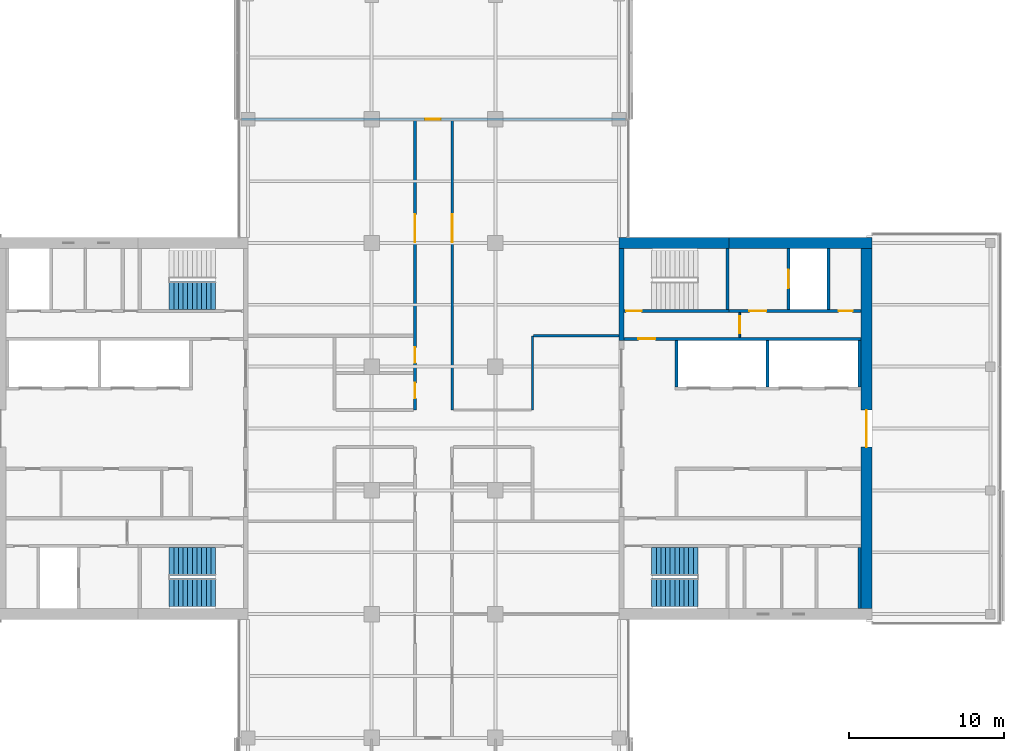
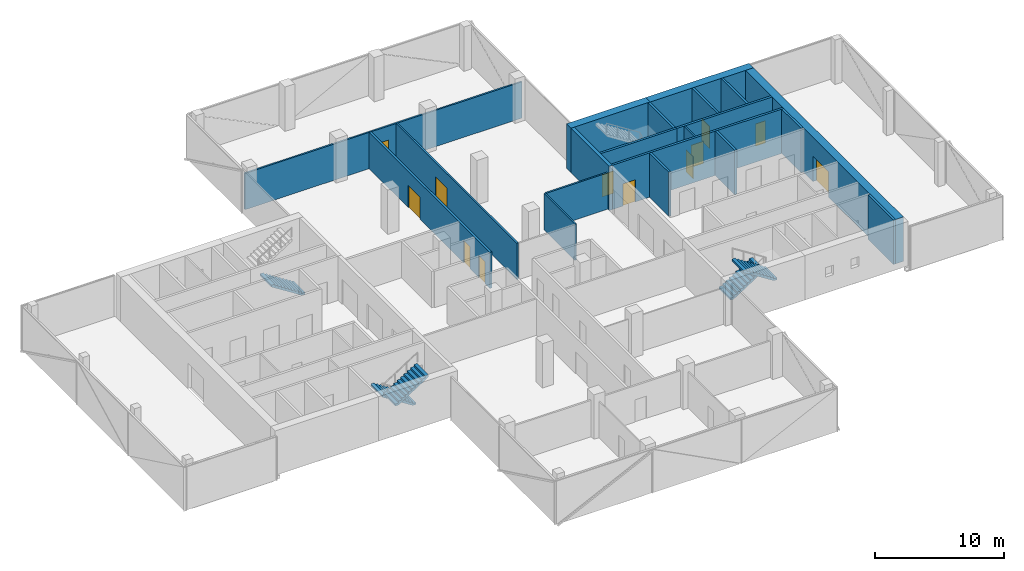
# One storey, part 16 of 22: 20 walls, 12 doors, 5 stair flights, 12 openings, 3 elements without a shape of their own.
"""IFC4 building model written with IfcOpenShell, lengths in metres."""

from ifc_helpers import new_model, si_unit, direction, frame, frame_2d, origin, place, context, subcontext, project, spatial, polyline, rectangle, outline, extrude, material, layer, layer_set, constituent, constituent_set, type_object, element, fill, aggregate, save


model = new_model("IFC4")

# Units and contexts
model_context = context("Model", 3, precision=1e-05, world=origin(), true_north=direction((0.0, 1.0)))
body_context = subcontext(model_context, "Body", "Model", "MODEL_VIEW")
ifc_project = project(units=[si_unit("LENGTHUNIT", "METRE"), si_unit("AREAUNIT", "SQUARE_METRE"), si_unit("VOLUMEUNIT", "CUBIC_METRE"), si_unit("PLANEANGLEUNIT", "RADIAN"), si_unit("MASSUNIT", "GRAM", prefix="KILO")], contexts=[model_context])

# Site, building, storey
site_placement = place(None, origin())
site = spatial("IfcSite", under=ifc_project, at=site_placement, CompositionType="ELEMENT")
building_placement = place(site_placement, origin())
building = spatial("IfcBuilding", under=site, at=building_placement, Name="Crosswind Convention Tower", CompositionType="ELEMENT")
storey_placement = place(building_placement, frame((0.0, 0.0, 116.89990234375)))
storey = spatial("IfcBuildingStorey", under=building, at=storey_placement, Name="L23", CompositionType="ELEMENT", Elevation=116.89990234375)

# Wall, openings, doors
ifc_material_1 = material(Name="Concrete blockwork", Category="masonry")
ifc_layer_1 = layer(ifc_material_1, 0.199951171875)
ifc_layer_set_1 = layer_set([ifc_layer_1], Name="COMPARTMENT WALL 200 BLOCKWORK")
wall_type_1 = type_object("IfcWallType", Name="COMPARTMENT WALL 200 BLOCKWORK", PredefinedType="SOLIDWALL", material=ifc_layer_set_1)
wall_1_placement = place(storey_placement, frame((123.800048828125, 101.199951171875, 0.0), z_axis=(0.0, 0.0, 1.0), x_axis=(0.0, 1.0, 0.0)))
wall_1 = element("IfcWall", 1, at=wall_1_placement, inside=storey, type_object=wall_type_1, Name="Compartment wall WT42", PredefinedType="SOLIDWALL", context=body_context, shape_type="SweptSolid", body=[
    extrude(rectangle(XDim=18.72509765625, YDim=0.199951171875, at=frame_2d((9.362548828125, 0.0))), origin(), (0.0, 0.0, 1.0), 3.4365234375),
])
opening_1_placement = place(wall_1_placement, frame((0.75, 0.0, 0.0)))
opening_1 = element("IfcOpeningElement", 2, at=opening_1_placement, cuts=wall_1, Name="Opening L23-55", PredefinedType="OPENING", context=body_context, shape_type="SweptSolid", body=[
    extrude(rectangle(XDim=1.0, YDim=2.10009765625, at=frame_2d((0.5, 1.050048828125))), frame((0.0, 0.10986328125, 0.0), z_axis=(0.0, -1.0, 0.0), x_axis=(1.0, 0.0, 0.0)), (0.0, 0.0, 1.0), 0.219970703125),
])
opening_2_placement = place(wall_1_placement, frame((3.050048828125, 0.0, 0.0)))
opening_2 = element("IfcOpeningElement", 3, at=opening_2_placement, cuts=wall_1, Name="Opening L23-56", PredefinedType="OPENING", context=body_context, shape_type="SweptSolid", body=[
    extrude(rectangle(XDim=1.0, YDim=2.10009765625, at=frame_2d((0.5, 1.050048828125))), frame((0.0, 0.10986328125, 0.0), z_axis=(0.0, -1.0, 0.0), x_axis=(1.0, 0.0, 0.0)), (0.0, 0.0, 1.0), 0.219970703125),
])
opening_3_placement = place(wall_1_placement, frame((10.85009765625, 0.0, 0.0)))
opening_3 = element("IfcOpeningElement", 4, at=opening_3_placement, cuts=wall_1, Name="Opening L23-57", PredefinedType="OPENING", context=body_context, shape_type="SweptSolid", body=[
    extrude(rectangle(XDim=1.800048828125, YDim=2.10009765625, at=frame_2d((0.89990234375, 1.050048828125))), frame((0.0, 0.10986328125, 0.0), z_axis=(0.0, -1.0, 0.0), x_axis=(1.0, 0.0, 0.0)), (0.0, 0.0, 1.0), 0.219970703125),
])
ifc_material_2 = material(Name="Steel fire door", Category="steel")
door_type_1 = type_object("IfcDoorType", Name="PLANT ROOM DOOR 1000X2100 FD60", OperationType="NOTDEFINED", PredefinedType="DOOR", material=ifc_material_2)
door_1_placement = place(opening_1_placement, origin())
door_1 = element("IfcDoor", 5, at=door_1_placement, inside=storey, type_object=door_type_1, Name="Door L23-55", ObjectType="D43", OperationType="SINGLE_SWING_RIGHT", OverallHeight=2.10009765625, OverallWidth=1.0, PredefinedType="DOOR", context=body_context, shape_type="SweptSolid", body=[
    extrude(rectangle(XDim=1.0, YDim=2.10009765625, at=frame_2d((0.5, 1.050048828125))), frame((0.0, 0.02490234375, 0.0), z_axis=(0.0, -1.0, 0.0), x_axis=(1.0, 0.0, 0.0)), (0.0, 0.0, 1.0), 0.050048828125),
])
fill(opening_1, door_1)
door_2_placement = place(opening_2_placement, origin())
door_2 = element("IfcDoor", 6, at=door_2_placement, inside=storey, type_object=door_type_1, Name="Door L23-56", ObjectType="D43", OperationType="SINGLE_SWING_LEFT", OverallHeight=2.10009765625, OverallWidth=1.0, PredefinedType="DOOR", context=body_context, shape_type="SweptSolid", body=[
    extrude(rectangle(XDim=1.0, YDim=2.10009765625, at=frame_2d((0.5, 1.050048828125))), frame((0.0, 0.02490234375, 0.0), z_axis=(0.0, -1.0, 0.0), x_axis=(1.0, 0.0, 0.0)), (0.0, 0.0, 1.0), 0.050048828125),
])
fill(opening_2, door_2)
ifc_material_3 = material(Name="Timber fire door", Category="wood")
door_type_2 = type_object("IfcDoorType", Name="TENANCY ENTRANCE DOUBLE DOOR 1800X2100 FD30S", OperationType="DOUBLE_DOOR_SINGLE_SWING", PredefinedType="DOOR", material=ifc_material_3)
door_3_placement = place(opening_3_placement, origin())
door_3 = element("IfcDoor", 7, at=door_3_placement, inside=storey, type_object=door_type_2, Name="Door L23-57", ObjectType="D42", OperationType="DOUBLE_DOOR_SINGLE_SWING", OverallHeight=2.10009765625, OverallWidth=1.800048828125, PredefinedType="DOOR", context=body_context, shape_type="SweptSolid", body=[
    extrude(rectangle(XDim=1.800048828125, YDim=2.10009765625, at=frame_2d((0.89990234375, 1.050048828125))), frame((0.0, 0.02490234375, 0.0), z_axis=(0.0, -1.0, 0.0), x_axis=(1.0, 0.0, 0.0)), (0.0, 0.0, 1.0), 0.050048828125),
])
fill(opening_3, door_3)

# Wall, opening, door
ifc_material_4 = material(Name="Concrete C60/75", Category="concrete")
ifc_layer_2 = layer(ifc_material_4, 0.699951171875)
ifc_layer_set_2 = layer_set([ifc_layer_2], Name="Concrete C60/75")
wall_type_2 = type_object("IfcWallType", Name="Concrete core wall 700", PredefinedType="SHEAR", material=ifc_layer_set_2)
wall_2_placement = place(storey_placement, frame((153.0, 88.35009765625, 0.0), z_axis=(0.0, 0.0, 1.0), x_axis=(0.0, 1.0, 0.0)))
wall_2 = element("IfcWall", 8, at=wall_2_placement, inside=storey, type_object=wall_type_2, Name="Wall O E L23", PredefinedType="SHEAR", context=body_context, shape_type="SweptSolid", body=[
    extrude(rectangle(XDim=23.2998046875, YDim=0.699951171875, at=frame_2d((11.64990234375, 0.0))), origin(), (0.0, 0.0, 1.0), 4.2001953125),
])
opening_4_placement = place(wall_2_placement, frame((10.449951171875, 0.0, 0.0)))
opening_4 = element("IfcOpeningElement", 9, at=opening_4_placement, cuts=wall_2, Name="Opening D100", PredefinedType="OPENING", context=body_context, shape_type="SweptSolid", body=[
    extrude(rectangle(XDim=2.39990234375, YDim=2.39990234375, at=frame_2d((1.199951171875, 1.199951171875))), frame((0.0, 0.35986328125, 0.0), z_axis=(0.0, -1.0, 0.0), x_axis=(1.0, 0.0, 0.0)), (0.0, 0.0, 1.0), 0.719970703125),
])
ifc_material_5 = material(Name="Steel fire door with glazed vision panels", Category="steel")
door_type_3 = type_object("IfcDoorType", Name="Fire-rated double door 2400x2400", OperationType="DOUBLE_DOOR_SINGLE_SWING", PredefinedType="DOOR", material=ifc_material_5)
door_4_placement = place(opening_4_placement, frame((2.39990234375, 0.0, 0.0), z_axis=(0.0, 0.0, 1.0), x_axis=(-1.0, 0.0, 0.0)))
door_4 = element("IfcDoor", 10, at=door_4_placement, inside=storey, type_object=door_type_3, Name="Lobby outer door L23", ObjectType="D100", OperationType="DOUBLE_DOOR_SINGLE_SWING", OverallHeight=2.39990234375, OverallWidth=2.39990234375, PredefinedType="DOOR", context=body_context, shape_type="SweptSolid", body=[
    extrude(rectangle(XDim=2.39990234375, YDim=2.39990234375, at=frame_2d((1.199951171875, 1.199951171875))), frame((0.0, 0.02490234375, 0.0), z_axis=(0.0, -1.0, 0.0), x_axis=(1.0, 0.0, 0.0)), (0.0, 0.0, 1.0), 0.050048828125),
])
fill(opening_4, door_4)

# Walls
ifc_material_6 = material(Name="Concrete C50/60", Category="concrete")
ifc_layer_3 = layer(ifc_material_6, 0.300048828125)
ifc_layer_set_3 = layer_set([ifc_layer_3], Name="Concrete C50/60")
wall_type_3 = type_object("IfcWallType", Name="Concrete inner core wall 300", PredefinedType="SHEAR", material=ifc_layer_set_3)
wall_3_placement = place(storey_placement, frame((137.14990234375, 105.699951171875, 0.0), z_axis=(0.0, 0.0, 1.0), x_axis=(0.0, 1.0, 0.0)))
element("IfcWall", 11, at=wall_3_placement, inside=storey, type_object=wall_type_3, Name="Wall EP E L23", PredefinedType="SHEAR", context=body_context, shape_type="SweptSolid", body=[
    extrude(rectangle(XDim=5.949951171875, YDim=0.300048828125, at=frame_2d((2.97509765625, 0.0))), origin(), (0.0, 0.0, 1.0), 4.2001953125),
])
ifc_layer_4 = layer(ifc_material_6, 0.199951171875)
ifc_layer_set_4 = layer_set([ifc_layer_4], Name="Concrete C50/60")
wall_type_4 = type_object("IfcWallType", Name="Concrete shaft and stair wall 200", PredefinedType="SHEAR", material=ifc_layer_set_4)
for number, where, z_axis, x_axis, name in (
    (12, (140.699951171875, 102.699951171875, 0.0), (0.0, 0.0, 1.0), (0.0, 1.0, 0.0), "Wall RPEND E L23"),
    (13, (146.60009765625, 102.699951171875, 0.0), (0.0, 0.0, 1.0), (0.0, 1.0, 0.0), "Wall RPSEP E L23"),
    (14, (152.550048828125, 102.699951171875, 0.0), (0.0, 0.0, 1.0), (0.0, 1.0, 0.0), "Wall RPEAST E L23"),
):
    element("IfcWall", number, at=place(storey_placement, frame(where, z_axis=z_axis, x_axis=x_axis)), inside=storey, type_object=wall_type_4, Name=name, PredefinedType="SHEAR", context=body_context, shape_type="SweptSolid", body=[
        extrude(rectangle(XDim=3.0, YDim=0.199951171875, at=frame_2d((1.5, 0.0))), origin(), (0.0, 0.0, 1.0), 4.2001953125),
    ])

# Wall, opening, door
wall_4_placement = place(storey_placement, frame((137.300048828125, 105.800048828125, 0.0), z_axis=(0.0, 0.0, 1.0), x_axis=(1.0, 0.0, 0.0)))
wall_4 = element("IfcWall", 15, at=wall_4_placement, inside=storey, type_object=wall_type_4, Name="Wall HP E L23", PredefinedType="SHEAR", context=body_context, shape_type="SweptSolid", body=[
    extrude(rectangle(XDim=15.349853515625, YDim=0.199951171875, at=frame_2d((7.6748046875, 0.0))), origin(), (0.0, 0.0, 1.0), 4.2001953125),
])
opening_5_placement = place(wall_4_placement, frame((0.949951171875, 0.0, 0.0)))
opening_5 = element("IfcOpeningElement", 16, at=opening_5_placement, cuts=wall_4, Name="Opening D104", PredefinedType="OPENING", context=body_context, shape_type="SweptSolid", body=[
    extrude(rectangle(XDim=1.10009765625, YDim=2.10009765625, at=frame_2d((0.550048828125, 1.050048828125))), frame((0.0, 0.10986328125, 0.0), z_axis=(0.0, -1.0, 0.0), x_axis=(1.0, 0.0, 0.0)), (0.0, 0.0, 1.0), 0.219970703125),
])
door_type_4 = type_object("IfcDoorType", Name="Fire-rated single door 1100x2100", OperationType="NOTDEFINED", PredefinedType="DOOR", material=ifc_material_2)
door_5_placement = place(opening_5_placement, origin())
door_5 = element("IfcDoor", 17, at=door_5_placement, inside=storey, type_object=door_type_4, Name="Corridor door L23", ObjectType="D104", OperationType="SINGLE_SWING_LEFT", OverallHeight=2.10009765625, OverallWidth=1.10009765625, PredefinedType="DOOR", context=body_context, shape_type="SweptSolid", body=[
    extrude(rectangle(XDim=1.10009765625, YDim=2.10009765625, at=frame_2d((0.550048828125, 1.050048828125))), frame((0.0, 0.02490234375, 0.0), z_axis=(0.0, -1.0, 0.0), x_axis=(1.0, 0.0, 0.0)), (0.0, 0.0, 1.0), 0.050048828125),
])
fill(opening_5, door_5)

# Wall
wall_5_placement = place(storey_placement, frame((144.0, 107.699951171875, 0.0), z_axis=(0.0, 0.0, 1.0), x_axis=(0.0, 1.0, 0.0)))
element("IfcWall", 18, at=wall_5_placement, inside=storey, type_object=wall_type_4, Name="Wall PSE E L23", PredefinedType="SHEAR", context=body_context, shape_type="SweptSolid", body=[
    extrude(rectangle(XDim=3.949951171875, YDim=0.199951171875, at=frame_2d((1.97509765625, 0.0))), origin(), (0.0, 0.0, 1.0), 4.2001953125),
])

# Wall, opening, door
wall_6_placement = place(storey_placement, frame((147.949951171875, 107.699951171875, 0.0), z_axis=(0.0, 0.0, 1.0), x_axis=(0.0, 1.0, 0.0)))
wall_6 = element("IfcWall", 19, at=wall_6_placement, inside=storey, type_object=wall_type_4, Name="Wall PFLW E L23", PredefinedType="SHEAR", context=body_context, shape_type="SweptSolid", body=[
    extrude(rectangle(XDim=3.949951171875, YDim=0.199951171875, at=frame_2d((1.97509765625, 0.0))), origin(), (0.0, 0.0, 1.0), 4.2001953125),
])
opening_6_placement = place(wall_6_placement, frame((1.375, 0.0, 0.0)))
opening_6 = element("IfcOpeningElement", 20, at=opening_6_placement, cuts=wall_6, Name="Opening LD1", PredefinedType="OPENING", context=body_context, shape_type="SweptSolid", body=[
    extrude(rectangle(XDim=1.199951171875, YDim=2.10009765625, at=frame_2d((0.60009765625, 1.050048828125))), frame((0.0, 0.10986328125, 0.0), z_axis=(0.0, -1.0, 0.0), x_axis=(1.0, 0.0, 0.0)), (0.0, 0.0, 1.0), 0.219970703125),
])
ifc_material_7 = material(Name="Stainless steel", Category="steel")
door_type_5 = type_object("IfcDoorType", Name="Lift landing door 1200x2100", OperationType="DOUBLE_DOOR_SLIDING", PredefinedType="DOOR", material=ifc_material_7)
door_6_placement = place(opening_6_placement, origin())
door_6 = element("IfcDoor", 21, at=door_6_placement, inside=storey, type_object=door_type_5, Name="Landing door FF1 L23", ObjectType="LD1", OperationType="DOUBLE_DOOR_SLIDING", OverallHeight=2.10009765625, OverallWidth=1.199951171875, PredefinedType="DOOR", context=body_context, shape_type="SweptSolid", body=[
    extrude(rectangle(XDim=1.199951171875, YDim=2.10009765625, at=frame_2d((0.60009765625, 1.050048828125))), frame((0.0, 0.02490234375, 0.0), z_axis=(0.0, -1.0, 0.0), x_axis=(1.0, 0.0, 0.0)), (0.0, 0.0, 1.0), 0.050048828125),
])
fill(opening_6, door_6)

# Wall
wall_7_placement = place(storey_placement, frame((150.550048828125, 107.699951171875, 0.0), z_axis=(0.0, 0.0, 1.0), x_axis=(0.0, 1.0, 0.0)))
element("IfcWall", 22, at=wall_7_placement, inside=storey, type_object=wall_type_4, Name="Wall PFSE E L23", PredefinedType="SHEAR", context=body_context, shape_type="SweptSolid", body=[
    extrude(rectangle(XDim=3.949951171875, YDim=0.199951171875, at=frame_2d((1.97509765625, 0.0))), origin(), (0.0, 0.0, 1.0), 4.2001953125),
])

# Wall, opening, door
wall_8_placement = place(storey_placement, frame((137.300048828125, 107.60009765625, 0.0), z_axis=(0.0, 0.0, 1.0), x_axis=(1.0, 0.0, 0.0)))
wall_8 = element("IfcWall", 23, at=wall_8_placement, inside=storey, type_object=wall_type_4, Name="Wall PCW E L23", PredefinedType="SHEAR", context=body_context, shape_type="SweptSolid", body=[
    extrude(rectangle(XDim=6.800048828125, YDim=0.199951171875, at=frame_2d((3.39990234375, 0.0))), origin(), (0.0, 0.0, 1.0), 4.2001953125),
])
opening_7_placement = place(wall_8_placement, frame((0.14990234375, 0.0, 0.0)))
opening_7 = element("IfcOpeningElement", 24, at=opening_7_placement, cuts=wall_8, Name="Opening D103", PredefinedType="OPENING", context=body_context, shape_type="SweptSolid", body=[
    extrude(rectangle(XDim=1.0, YDim=2.10009765625, at=frame_2d((0.5, 1.050048828125))), frame((0.0, 0.10986328125, 0.0), z_axis=(0.0, -1.0, 0.0), x_axis=(1.0, 0.0, 0.0)), (0.0, 0.0, 1.0), 0.219970703125),
])
door_type_6 = type_object("IfcDoorType", Name="Fire-rated single door 1000x2100", OperationType="NOTDEFINED", PredefinedType="DOOR", material=ifc_material_2)
door_7_placement = place(opening_7_placement, origin())
door_7 = element("IfcDoor", 25, at=door_7_placement, inside=storey, type_object=door_type_6, Name="Stair ST1 door L23", ObjectType="D103", OperationType="SINGLE_SWING_LEFT", OverallHeight=2.10009765625, OverallWidth=1.0, PredefinedType="DOOR", context=body_context, shape_type="SweptSolid", body=[
    extrude(rectangle(XDim=1.0, YDim=2.10009765625, at=frame_2d((0.5, 1.050048828125))), frame((0.0, 0.02490234375, 0.0), z_axis=(0.0, -1.0, 0.0), x_axis=(1.0, 0.0, 0.0)), (0.0, 0.0, 1.0), 0.050048828125),
])
fill(opening_7, door_7)

# Wall, openings, doors
wall_9_placement = place(storey_placement, frame((144.10009765625, 107.60009765625, 0.0), z_axis=(0.0, 0.0, 1.0), x_axis=(1.0, 0.0, 0.0)))
wall_9 = element("IfcWall", 26, at=wall_9_placement, inside=storey, type_object=wall_type_4, Name="Wall PCX E L23", PredefinedType="SHEAR", context=body_context, shape_type="SweptSolid", body=[
    extrude(rectangle(XDim=8.5498046875, YDim=0.199951171875, at=frame_2d((4.27490234375, 0.0))), origin(), (0.0, 0.0, 1.0), 4.2001953125),
])
opening_8_placement = place(wall_9_placement, frame((1.324951171875, 0.0, 0.0)))
opening_8 = element("IfcOpeningElement", 27, at=opening_8_placement, cuts=wall_9, Name="Opening D104", PredefinedType="OPENING", context=body_context, shape_type="SweptSolid", body=[
    extrude(rectangle(XDim=1.10009765625, YDim=2.10009765625, at=frame_2d((0.550048828125, 1.050048828125))), frame((0.0, 0.10986328125, 0.0), z_axis=(0.0, -1.0, 0.0), x_axis=(1.0, 0.0, 0.0)), (0.0, 0.0, 1.0), 0.219970703125),
])
opening_9_placement = place(wall_9_placement, frame((7.10009765625, 0.0, 0.0)))
opening_9 = element("IfcOpeningElement", 28, at=opening_9_placement, cuts=wall_9, Name="Opening D106", PredefinedType="OPENING", context=body_context, shape_type="SweptSolid", body=[
    extrude(rectangle(XDim=0.89990234375, YDim=2.10009765625, at=frame_2d((0.449951171875, 1.050048828125))), frame((0.0, 0.10986328125, 0.0), z_axis=(0.0, -1.0, 0.0), x_axis=(1.0, 0.0, 0.0)), (0.0, 0.0, 1.0), 0.219970703125),
])
door_8_placement = place(opening_8_placement, origin())
door_8 = element("IfcDoor", 29, at=door_8_placement, inside=storey, type_object=door_type_4, Name="Fire-fighting lobby FF1 door L23", ObjectType="D104", OperationType="SINGLE_SWING_RIGHT", OverallHeight=2.10009765625, OverallWidth=1.10009765625, PredefinedType="DOOR", context=body_context, shape_type="SweptSolid", body=[
    extrude(rectangle(XDim=1.10009765625, YDim=2.10009765625, at=frame_2d((0.550048828125, 1.050048828125))), frame((0.0, 0.02490234375, 0.0), z_axis=(0.0, -1.0, 0.0), x_axis=(1.0, 0.0, 0.0)), (0.0, 0.0, 1.0), 0.050048828125),
])
fill(opening_8, door_8)
ifc_material_8 = material(Name="Timber door", Category="wood")
door_type_7 = type_object("IfcDoorType", Name="Single leaf door 900x2100", OperationType="NOTDEFINED", PredefinedType="DOOR", material=ifc_material_8)
door_9_placement = place(opening_9_placement, origin())
door_9 = element("IfcDoor", 30, at=door_9_placement, inside=storey, type_object=door_type_7, Name="Door to electrical room L23", ObjectType="D106", OperationType="SINGLE_SWING_RIGHT", OverallHeight=2.10009765625, OverallWidth=0.89990234375, PredefinedType="DOOR", context=body_context, shape_type="SweptSolid", body=[
    extrude(rectangle(XDim=0.89990234375, YDim=2.10009765625, at=frame_2d((0.449951171875, 1.050048828125))), frame((0.0, 0.02490234375, 0.0), z_axis=(0.0, -1.0, 0.0), x_axis=(1.0, 0.0, 0.0)), (0.0, 0.0, 1.0), 0.050048828125),
])
fill(opening_9, door_9)

# Wall
wall_10_placement = place(storey_placement, frame((152.550048828125, 88.35009765625, 0.0), z_axis=(0.0, 0.0, 1.0), x_axis=(0.0, 1.0, 0.0)))
element("IfcWall", 31, at=wall_10_placement, inside=storey, type_object=wall_type_4, Name="Wall MFSE E L23", PredefinedType="SHEAR", context=body_context, shape_type="SweptSolid", body=[
    extrude(rectangle(XDim=3.949951171875, YDim=0.199951171875, at=frame_2d((1.97509765625, 0.0))), origin(), (0.0, 0.0, 1.0), 4.2001953125),
])

# Wall, opening, door
ifc_material_9 = material(Name="Gypsum plasterboard partition", Category="gypsum")
ifc_layer_5 = layer(ifc_material_9, 0.125)
ifc_layer_set_5 = layer_set([ifc_layer_5], Name="Drywall partition wall 125")
wall_type_5 = type_object("IfcWallType", Name="Drywall partition wall 125", PredefinedType="PARTITIONING", material=ifc_layer_set_5)
wall_11_placement = place(storey_placement, frame((144.800048828125, 105.89990234375, 0.0), z_axis=(0.0, 0.0, 1.0), x_axis=(0.0, 1.0, 0.0)))
wall_11 = element("IfcWall", 32, at=wall_11_placement, inside=storey, type_object=wall_type_5, Name="Wall PXC1 E L23", PredefinedType="PARTITIONING", context=body_context, shape_type="SweptSolid", body=[
    extrude(rectangle(XDim=1.60009765625, YDim=0.125, at=frame_2d((0.800048828125, 0.0))), origin(), (0.0, 0.0, 1.0), 4.2001953125),
])
opening_10_placement = place(wall_11_placement, frame((0.25, 0.0, 0.0)))
opening_10 = element("IfcOpeningElement", 33, at=opening_10_placement, cuts=wall_11, Name="Opening D104", PredefinedType="OPENING", context=body_context, shape_type="SweptSolid", body=[
    extrude(rectangle(XDim=1.10009765625, YDim=2.10009765625, at=frame_2d((0.550048828125, 1.050048828125))), frame((0.0, 0.072509765625, 0.0), z_axis=(0.0, -1.0, 0.0), x_axis=(1.0, 0.0, 0.0)), (0.0, 0.0, 1.0), 0.14501953125),
])
door_10_placement = place(opening_10_placement, origin())
door_10 = element("IfcDoor", 34, at=door_10_placement, inside=storey, type_object=door_type_4, Name="Corridor smoke door L23", ObjectType="D104", OperationType="SINGLE_SWING_RIGHT", OverallHeight=2.10009765625, OverallWidth=1.10009765625, PredefinedType="DOOR", context=body_context, shape_type="SweptSolid", body=[
    extrude(rectangle(XDim=1.10009765625, YDim=2.10009765625, at=frame_2d((0.550048828125, 1.050048828125))), frame((0.0, 0.02490234375, 0.0), z_axis=(0.0, -1.0, 0.0), x_axis=(1.0, 0.0, 0.0)), (0.0, 0.0, 1.0), 0.050048828125),
])
fill(opening_10, door_10)

ifc_material_10 = material(Name="Fire-board partition with mineral wool", Category="gypsum")
ifc_layer_6 = layer(ifc_material_10, 0.14990234375)
ifc_layer_set_6 = layer_set([ifc_layer_6], Name="TENANCY WALL 150 TWO-HOUR BOARD")
wall_type_6 = type_object("IfcWallType", Name="TENANCY WALL 150 TWO-HOUR BOARD", PredefinedType="PARTITIONING", material=ifc_layer_set_6)
wall_12_placement = place(storey_placement, frame((126.199951171875, 101.199951171875, 0.0), z_axis=(0.0, 0.0, 1.0), x_axis=(0.0, 1.0, 0.0)))
wall_12 = element("IfcWall", 35, at=wall_12_placement, inside=storey, type_object=wall_type_6, Name="Tenancy wall WT41", PredefinedType="PARTITIONING", context=body_context, shape_type="SweptSolid", body=[
    extrude(rectangle(XDim=18.72509765625, YDim=0.14990234375, at=frame_2d((9.362548828125, 0.0))), origin(), (0.0, 0.0, 1.0), 3.4365234375),
])
opening_11_placement = place(wall_12_placement, frame((10.85009765625, 0.0, 0.0)))
opening_11 = element("IfcOpeningElement", 36, at=opening_11_placement, cuts=wall_12, Name="Opening L23-50", PredefinedType="OPENING", context=body_context, shape_type="SweptSolid", body=[
    extrude(rectangle(XDim=1.800048828125, YDim=2.10009765625, at=frame_2d((0.89990234375, 1.050048828125))), frame((0.0, 0.0849609375, 0.0), z_axis=(0.0, -1.0, 0.0), x_axis=(1.0, 0.0, 0.0)), (0.0, 0.0, 1.0), 0.169921875),
])
door_11_placement = place(opening_11_placement, frame((1.800048828125, 0.0, 0.0), z_axis=(0.0, 0.0, 1.0), x_axis=(-1.0, 0.0, 0.0)))
door_11 = element("IfcDoor", 37, at=door_11_placement, inside=storey, type_object=door_type_2, Name="Door L23-50", ObjectType="D42", OperationType="DOUBLE_DOOR_SINGLE_SWING", OverallHeight=2.10009765625, OverallWidth=1.800048828125, PredefinedType="DOOR", context=body_context, shape_type="SweptSolid", body=[
    extrude(rectangle(XDim=1.800048828125, YDim=2.10009765625, at=frame_2d((0.89990234375, 1.050048828125))), frame((0.0, 0.02490234375, 0.0), z_axis=(0.0, -1.0, 0.0), x_axis=(1.0, 0.0, 0.0)), (0.0, 0.0, 1.0), 0.050048828125),
])
fill(opening_11, door_11)

# Walls
wall_13_placement = place(storey_placement, frame((131.39990234375, 101.199951171875, 0.0), z_axis=(0.0, 0.0, 1.0), x_axis=(0.0, 1.0, 0.0)))
element("IfcWall", 38, at=wall_13_placement, inside=storey, type_object=wall_type_6, Name="Tenancy wall WT41", PredefinedType="PARTITIONING", context=body_context, shape_type="SweptSolid", body=[
    extrude(rectangle(XDim=4.800048828125, YDim=0.14990234375, at=frame_2d((2.39990234375, 0.0))), origin(), (0.0, 0.0, 1.0), 3.4365234375),
])
wall_14_placement = place(storey_placement, frame((131.47509765625, 106.0, 0.0), z_axis=(0.0, 0.0, 1.0), x_axis=(1.0, 0.0, 0.0)))
element("IfcWall", 39, at=wall_14_placement, inside=storey, type_object=wall_type_6, Name="Tenancy wall WT41", PredefinedType="PARTITIONING", context=body_context, shape_type="SweptSolid", body=[
    extrude(rectangle(XDim=5.52490234375, YDim=0.14990234375, at=frame_2d((2.762451171875, 0.0))), origin(), (0.0, 0.0, 1.0), 3.4365234375),
])

# Wall, opening, door
wall_15_placement = place(storey_placement, frame((112.580078125, 120.0, 0.0), z_axis=(0.0, 0.0, 1.0), x_axis=(1.0, 0.0, 0.0)))
wall_15 = element("IfcWall", 40, at=wall_15_placement, inside=storey, type_object=wall_type_6, Name="Tenancy wall WT41", PredefinedType="PARTITIONING", context=body_context, shape_type="SweptSolid", body=[
    extrude(rectangle(XDim=24.83984375, YDim=0.14990234375, at=frame_2d((12.419921875, 0.0))), origin(), (0.0, 0.0, 1.0), 3.4365234375),
])
opening_12_placement = place(wall_15_placement, frame((11.8701171875, 0.0, 0.0)))
opening_12 = element("IfcOpeningElement", 41, at=opening_12_placement, cuts=wall_15, Name="Opening L23-61", PredefinedType="OPENING", context=body_context, shape_type="SweptSolid", body=[
    extrude(rectangle(XDim=1.0, YDim=2.10009765625, at=frame_2d((0.5, 1.050048828125))), frame((0.0, 0.0849609375, 0.0), z_axis=(0.0, -1.0, 0.0), x_axis=(1.0, 0.0, 0.0)), (0.0, 0.0, 1.0), 0.169921875),
])
door_type_8 = type_object("IfcDoorType", Name="TENANCY ENTRANCE DOOR 1000X2100 FD30S", OperationType="NOTDEFINED", PredefinedType="DOOR", material=ifc_material_3)
door_12_placement = place(opening_12_placement, origin())
door_12 = element("IfcDoor", 42, at=door_12_placement, inside=storey, type_object=door_type_8, Name="Door L23-61", ObjectType="D41", OperationType="SINGLE_SWING_LEFT", OverallHeight=2.10009765625, OverallWidth=1.0, PredefinedType="DOOR", context=body_context, shape_type="SweptSolid", body=[
    extrude(rectangle(XDim=1.0, YDim=2.10009765625, at=frame_2d((0.5, 1.050048828125))), frame((0.0, 0.02490234375, 0.0), z_axis=(0.0, -1.0, 0.0), x_axis=(1.0, 0.0, 0.0)), (0.0, 0.0, 1.0), 0.050048828125),
])
fill(opening_12, door_12)

# Walls
ifc_constituent_1 = constituent(ifc_material_4, Name="Structure")
ifc_material_11 = material(Name="Terracotta rainscreen", Category="ceramic")
ifc_constituent_2 = constituent(ifc_material_11, Name="Facing")
ifc_constituent_set = constituent_set(constituents=[ifc_constituent_1, ifc_constituent_2], Name="Concrete C60/75, Terracotta rainscreen")
wall_type_7 = type_object("IfcWallType", Name="Terracotta rainscreen on concrete core wall 700", PredefinedType="SHEAR", material=ifc_constituent_set)
wall_16_placement = place(storey_placement, frame((137.0, 112.0, 0.0), z_axis=(0.0, 0.0, 1.0), x_axis=(1.0, 0.0, 0.0)))
element("IfcWall", 43, at=wall_16_placement, inside=storey, type_object=wall_type_7, Name="Wall N1 E L23", PredefinedType="SHEAR", context=body_context, shape_type="SweptSolid", body=[
    extrude(rectangle(XDim=7.10009765625, YDim=0.699951171875, at=frame_2d((3.550048828125, 0.0))), origin(), (0.0, 0.0, 1.0), 4.2001953125),
])
wall_17_placement = place(storey_placement, frame((144.10009765625, 112.0, 0.0), z_axis=(0.0, 0.0, 1.0), x_axis=(1.0, 0.0, 0.0)))
element("IfcWall", 44, at=wall_17_placement, inside=storey, type_object=wall_type_7, Name="Wall N2 E L23", PredefinedType="SHEAR", context=body_context, shape_type="SweptSolid", body=[
    extrude(rectangle(XDim=9.25, YDim=0.699951171875, at=frame_2d((4.625, 0.0))), origin(), (0.0, 0.0, 1.0), 4.2001953125),
])

# Stair, stair flights
ifc_material_12 = material(Name="Concrete C40/50", Category="concrete")
stair_type = type_object("IfcStairType", Name="Exit stair 1800 wide, 2 flights of 11 risers", PredefinedType="HALF_TURN_STAIR", material=ifc_material_12)
stair_1_placement = place(storey_placement, origin())
stair_1 = element("IfcStair", 45, at=stair_1_placement, inside=storey, type_object=stair_type, Name="Exit stair ST2 L23", ObjectType="ST5", PredefinedType="HALF_TURN_STAIR")
stair_flight_type = type_object("IfcStairFlightType", Name="Stair flight 1800 wide, 11 risers (SF4)", PredefinedType="STRAIGHT", material=ifc_material_12)
stair_flight_1_placement = place(storey_placement, frame((139.10009765625, 91.39990234375, 0.0), z_axis=(0.0, 0.0, 1.0), x_axis=(1.0, 0.0, 0.0)))
stair_flight_1 = element("IfcStairFlight", 46, at=stair_flight_1_placement, type_object=stair_flight_type, Name="ST2 flight 1", NumberOfRisers=11, NumberOfTreads=10, PredefinedType="STRAIGHT", RiserHeight=0.190909091, TreadLength=0.3, context=body_context, shape_type="SweptSolid", body=[
    extrude(outline(polyline([(0.0, 0.0), (0.0, 0.19091796875), (0.300048828125, 0.19091796875), (0.300048828125, 0.3818359375), (0.60009765625, 0.3818359375), (0.60009765625, 0.57275390625), (0.89990234375, 0.57275390625), (0.89990234375, 0.763671875), (1.199951171875, 0.763671875), (1.199951171875, 0.95458984375), (1.5, 0.95458984375), (1.5, 1.1455078125), (1.800048828125, 1.1455078125), (1.800048828125, 1.33642578125), (2.10009765625, 1.33642578125), (2.10009765625, 1.52734375), (2.39990234375, 1.52734375), (2.39990234375, 1.71826171875), (2.699951171875, 1.71826171875), (2.699951171875, 1.9091796875), (3.0, 1.9091796875), (3.0, 2.10009765625), (3.0, 1.7314453125), (0.279296875, 0.0), (0.0, 0.0)])), frame((0.0, 0.89990234375, 0.0), z_axis=(0.0, -1.0, 0.0), x_axis=(1.0, 0.0, 0.0)), (0.0, 0.0, 1.0), 1.800048828125),
])
stair_flight_2_placement = place(storey_placement, frame((142.10009765625, 89.39990234375, 2.10009765625), z_axis=(0.0, 0.0, 1.0), x_axis=(-1.0, 0.0, 0.0)))
stair_flight_2 = element("IfcStairFlight", 47, at=stair_flight_2_placement, type_object=stair_flight_type, Name="ST2 flight 2", NumberOfRisers=11, NumberOfTreads=10, PredefinedType="STRAIGHT", RiserHeight=0.190909091, TreadLength=0.3, context=body_context, shape_type="SweptSolid", body=[
    extrude(outline(polyline([(0.0, 0.0), (0.0, 0.19091796875), (0.300048828125, 0.19091796875), (0.300048828125, 0.3818359375), (0.60009765625, 0.3818359375), (0.60009765625, 0.57275390625), (0.89990234375, 0.57275390625), (0.89990234375, 0.763671875), (1.199951171875, 0.763671875), (1.199951171875, 0.95458984375), (1.5, 0.95458984375), (1.5, 1.1455078125), (1.800048828125, 1.1455078125), (1.800048828125, 1.33642578125), (2.10009765625, 1.33642578125), (2.10009765625, 1.52734375), (2.39990234375, 1.52734375), (2.39990234375, 1.71826171875), (2.699951171875, 1.71826171875), (2.699951171875, 1.9091796875), (3.0, 1.9091796875), (3.0, 2.10009765625), (3.0, 1.7314453125), (0.279296875, 0.0), (0.0, 0.0)])), frame((0.0, 0.89990234375, 0.0), z_axis=(0.0, -1.0, 0.0), x_axis=(1.0, 0.0, 0.0)), (0.0, 0.0, 1.0), 1.800048828125),
])
aggregate(stair_1, [stair_flight_1, stair_flight_2])

stair_2_placement = place(storey_placement, origin())
stair_2 = element("IfcStair", 48, at=stair_2_placement, inside=storey, type_object=stair_type, Name="Exit stair ST3 L23", ObjectType="ST5", PredefinedType="HALF_TURN_STAIR")
stair_flight_3_placement = place(storey_placement, frame((110.89990234375, 91.39990234375, 0.0), z_axis=(0.0, 0.0, 1.0), x_axis=(-1.0, 0.0, 0.0)))
stair_flight_3 = element("IfcStairFlight", 49, at=stair_flight_3_placement, type_object=stair_flight_type, Name="ST3 flight 1", NumberOfRisers=11, NumberOfTreads=10, PredefinedType="STRAIGHT", RiserHeight=0.190909091, TreadLength=0.3, context=body_context, shape_type="SweptSolid", body=[
    extrude(outline(polyline([(0.0, 0.0), (0.0, 0.19091796875), (0.300048828125, 0.19091796875), (0.300048828125, 0.3818359375), (0.60009765625, 0.3818359375), (0.60009765625, 0.57275390625), (0.89990234375, 0.57275390625), (0.89990234375, 0.763671875), (1.199951171875, 0.763671875), (1.199951171875, 0.95458984375), (1.5, 0.95458984375), (1.5, 1.1455078125), (1.800048828125, 1.1455078125), (1.800048828125, 1.33642578125), (2.10009765625, 1.33642578125), (2.10009765625, 1.52734375), (2.39990234375, 1.52734375), (2.39990234375, 1.71826171875), (2.699951171875, 1.71826171875), (2.699951171875, 1.9091796875), (3.0, 1.9091796875), (3.0, 2.10009765625), (3.0, 1.7314453125), (0.279296875, 0.0), (0.0, 0.0)])), frame((0.0, 0.89990234375, 0.0), z_axis=(0.0, -1.0, 0.0), x_axis=(1.0, 0.0, 0.0)), (0.0, 0.0, 1.0), 1.800048828125),
])
stair_flight_4_placement = place(storey_placement, frame((107.89990234375, 89.39990234375, 2.10009765625), z_axis=(0.0, 0.0, 1.0), x_axis=(1.0, 0.0, 0.0)))
stair_flight_4 = element("IfcStairFlight", 50, at=stair_flight_4_placement, type_object=stair_flight_type, Name="ST3 flight 2", NumberOfRisers=11, NumberOfTreads=10, PredefinedType="STRAIGHT", RiserHeight=0.190909091, TreadLength=0.3, context=body_context, shape_type="SweptSolid", body=[
    extrude(outline(polyline([(0.0, 0.0), (0.0, 0.19091796875), (0.300048828125, 0.19091796875), (0.300048828125, 0.3818359375), (0.60009765625, 0.3818359375), (0.60009765625, 0.57275390625), (0.89990234375, 0.57275390625), (0.89990234375, 0.763671875), (1.199951171875, 0.763671875), (1.199951171875, 0.95458984375), (1.5, 0.95458984375), (1.5, 1.1455078125), (1.800048828125, 1.1455078125), (1.800048828125, 1.33642578125), (2.10009765625, 1.33642578125), (2.10009765625, 1.52734375), (2.39990234375, 1.52734375), (2.39990234375, 1.71826171875), (2.699951171875, 1.71826171875), (2.699951171875, 1.9091796875), (3.0, 1.9091796875), (3.0, 2.10009765625), (3.0, 1.7314453125), (0.279296875, 0.0), (0.0, 0.0)])), frame((0.0, 0.89990234375, 0.0), z_axis=(0.0, -1.0, 0.0), x_axis=(1.0, 0.0, 0.0)), (0.0, 0.0, 1.0), 1.800048828125),
])
aggregate(stair_2, [stair_flight_3, stair_flight_4])

# Stair, stair flight
stair_3_placement = place(storey_placement, origin())
stair_3 = element("IfcStair", 51, at=stair_3_placement, inside=storey, type_object=stair_type, Name="Exit stair ST4 L23", ObjectType="ST5", PredefinedType="HALF_TURN_STAIR")
stair_flight_5_placement = place(storey_placement, frame((110.89990234375, 108.60009765625, 0.0), z_axis=(0.0, 0.0, 1.0), x_axis=(-1.0, 0.0, 0.0)))
stair_flight_5 = element("IfcStairFlight", 52, at=stair_flight_5_placement, type_object=stair_flight_type, Name="ST4 flight 1", NumberOfRisers=11, NumberOfTreads=10, PredefinedType="STRAIGHT", RiserHeight=0.190909091, TreadLength=0.3, context=body_context, shape_type="SweptSolid", body=[
    extrude(outline(polyline([(0.0, 0.0), (0.0, 0.19091796875), (0.300048828125, 0.19091796875), (0.300048828125, 0.3818359375), (0.60009765625, 0.3818359375), (0.60009765625, 0.57275390625), (0.89990234375, 0.57275390625), (0.89990234375, 0.763671875), (1.199951171875, 0.763671875), (1.199951171875, 0.95458984375), (1.5, 0.95458984375), (1.5, 1.1455078125), (1.800048828125, 1.1455078125), (1.800048828125, 1.33642578125), (2.10009765625, 1.33642578125), (2.10009765625, 1.52734375), (2.39990234375, 1.52734375), (2.39990234375, 1.71826171875), (2.699951171875, 1.71826171875), (2.699951171875, 1.9091796875), (3.0, 1.9091796875), (3.0, 2.10009765625), (3.0, 1.7314453125), (0.279296875, 0.0), (0.0, 0.0)])), frame((0.0, 0.89990234375, 0.0), z_axis=(0.0, -1.0, 0.0), x_axis=(1.0, 0.0, 0.0)), (0.0, 0.0, 1.0), 1.800048828125),
])
aggregate(stair_3, [stair_flight_5])

save(model, "model.ifc")
